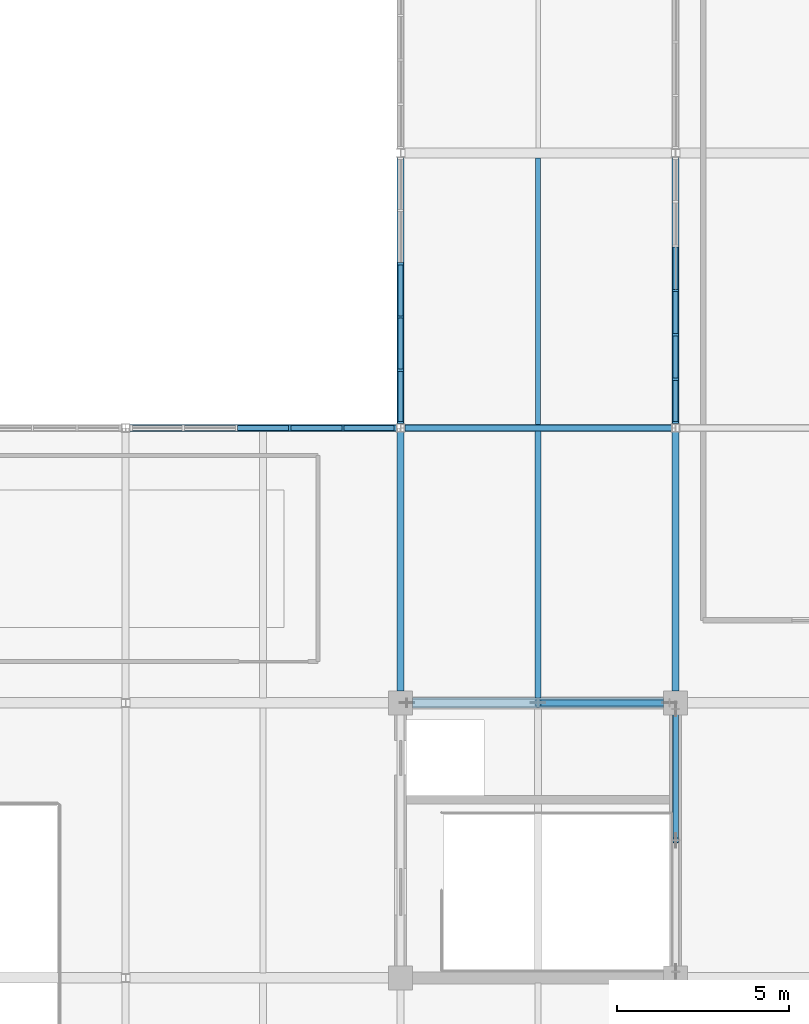
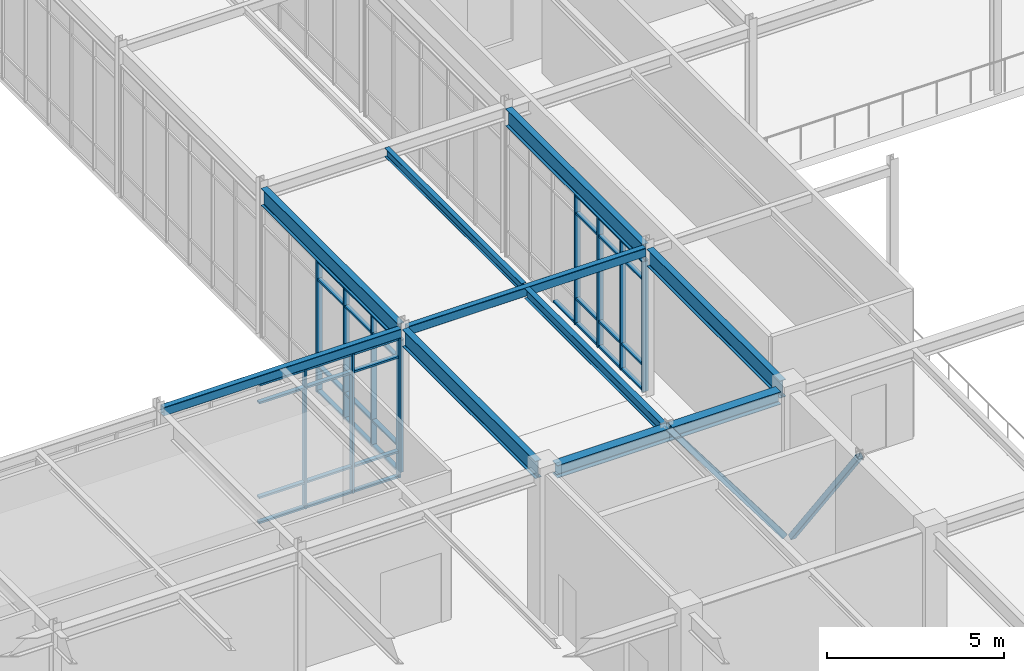
# One storey, part 55 of 184: 50 members, 9 beams, 3 elements without a shape of their own.
"""IFC4 building model written with IfcOpenShell, lengths in metres."""

from ifc_helpers import new_model, si_unit, direction, frame, origin, origin_2d, place, context, subcontext, project, spatial, rectangle, hollow_rectangle, i_section, extrude, material, material_profile, profile_set, type_object, element, aggregate, save


model = new_model("IFC4")

# Units and contexts
model_context = context("Model", 3, precision=1e-05, world=origin(), true_north=direction((0.0, 1.0)))
body_context = subcontext(model_context, "Body", "Model", "MODEL_VIEW")
ifc_project = project(units=[si_unit("LENGTHUNIT", "METRE"), si_unit("AREAUNIT", "SQUARE_METRE"), si_unit("VOLUMEUNIT", "CUBIC_METRE"), si_unit("PLANEANGLEUNIT", "RADIAN"), si_unit("MASSUNIT", "GRAM", prefix="KILO")], contexts=[model_context])

# Site, building, storey
site_placement = place(None, origin())
site = spatial("IfcSite", under=ifc_project, at=site_placement, CompositionType="ELEMENT")
building_placement = place(site_placement, origin())
building = spatial("IfcBuilding", under=site, at=building_placement, Name="Zhaolan Boulevard Law Courts", CompositionType="ELEMENT")
storey_placement = place(building_placement, frame((0.0, 0.0, 5.39990234375)))
storey = spatial("IfcBuildingStorey", under=building, at=storey_placement, Name="L01", CompositionType="ELEMENT", Elevation=5.39990234375)

# Members
ifc_material_1 = material(Name="Structural steel Q355B", Category="steel")
ifc_material_profile_1 = material_profile(ifc_material_1, hollow_rectangle(XDim=0.179931640625, YDim=0.179931640625, WallThickness=0.008056640625, InnerFilletRadius=0.008056640625, OuterFilletRadius=0.01611328125, at=origin_2d()), Name="HSS180x180x8")
ifc_profile_set_1 = profile_set([ifc_material_profile_1], Name="Structural steel Q355B")
member_type_1 = type_object("IfcMemberType", Name="BRACE HSS180", PredefinedType="BRACE", material=ifc_profile_set_1)
member_1_placement = place(storey_placement, frame((124.0, 21.820068359375, 0.030029296875), z_axis=(0.0, -0.600251625626, 0.799811218935), x_axis=(1.0, 0.0, 0.0)))
element("IfcMember", 1, at=member_1_placement, inside=storey, type_object=member_type_1, Name="Core Brace BR-P2-L01-E2", PredefinedType="BRACE", context=body_context, shape_type="SweptSolid", body=[
    extrude(hollow_rectangle(XDim=0.179931640625, YDim=0.179931640625, WallThickness=0.008056640625, InnerFilletRadius=0.008056640625, OuterFilletRadius=0.01611328125, at=origin_2d()), origin(), (0.0, 0.0, 1.0), 6.364013671875),
])
ifc_material_2 = material(Name="Structural steel Q355B", Category="steel")
ifc_material_profile_2 = material_profile(ifc_material_2, hollow_rectangle(XDim=0.199951171875, YDim=0.199951171875, WallThickness=0.010009765625, InnerFilletRadius=0.010009765625, OuterFilletRadius=0.02001953125, at=origin_2d()), Name="HSS200x200x10")
ifc_profile_set_2 = profile_set([ifc_material_profile_2], Name="Structural steel Q355B")
member_type_2 = type_object("IfcMemberType", Name="BRACE HSS200", PredefinedType="BRACE", material=ifc_profile_set_2)
member_2_placement = place(storey_placement, frame((123.820068359375, 22.0, 0.030029296875), z_axis=(-0.600251625626, 0.0, 0.799811218935), x_axis=(0.0, -1.0, 0.0)))
element("IfcMember", 2, at=member_2_placement, inside=storey, type_object=member_type_2, Name="Core Brace BR-P2-L01-N2", PredefinedType="BRACE", context=body_context, shape_type="SweptSolid", body=[
    extrude(hollow_rectangle(XDim=0.199951171875, YDim=0.199951171875, WallThickness=0.010009765625, InnerFilletRadius=0.010009765625, OuterFilletRadius=0.02001953125, at=origin_2d()), origin(), (0.0, 0.0, 1.0), 6.364013671875),
])

# Curtain wall, members
ifc_material_3 = material(Name="Thermally broken aluminium and low-E glazing", Category="aluminium")
curtain_wall_type_1 = type_object("IfcCurtainWallType", Name="CURTAIN WALL M7", PredefinedType="USERDEFINED", material=ifc_material_3)
curtain_wall_1_placement = place(storey_placement, origin())
curtain_wall_1 = element("IfcCurtainWall", 3, at=curtain_wall_1_placement, inside=storey, type_object=curtain_wall_type_1, Name="Curtain Wall CW-L01-055", ObjectType="CURTAIN WALL", PredefinedType="USERDEFINED")
ifc_material_4 = material(Name="Fluorocarbon-coated aluminium 6063-T6", Category="aluminium")
ifc_material_profile_3 = material_profile(ifc_material_4, rectangle(XDim=0.179931640625, YDim=0.06494140625, at=origin_2d()), Name="AL65x180")
ifc_profile_set_3 = profile_set([ifc_material_profile_3], Name="Fluorocarbon-coated aluminium 6063-T6")
member_type_3 = type_object("IfcMemberType", Name="CWMULLION 65X180", PredefinedType="MULLION", material=ifc_profile_set_3)
member_3_placement = place(storey_placement, frame((115.840576171875, 30.0, 0.0), z_axis=(0.0, 0.0, 1.0), x_axis=(0.0, -1.0, 0.0)))
member_3 = element("IfcMember", 4, at=member_3_placement, type_object=member_type_3, Name="CW-L01-055 mullion 1", PredefinedType="MULLION", context=body_context, shape_type="SweptSolid", body=[
    extrude(rectangle(XDim=0.179931640625, YDim=0.06494140625, at=origin_2d()), origin(), (0.0, 0.0, 1.0), 4.822998046875),
])
member_4_placement = place(storey_placement, frame((114.32373046875, 30.0, 0.0), z_axis=(0.0, 0.0, 1.0), x_axis=(0.0, -1.0, 0.0)))
member_4 = element("IfcMember", 5, at=member_4_placement, type_object=member_type_3, Name="CW-L01-055 mullion 2", PredefinedType="MULLION", context=body_context, shape_type="SweptSolid", body=[
    extrude(rectangle(XDim=0.179931640625, YDim=0.06494140625, at=origin_2d()), origin(), (0.0, 0.0, 1.0), 4.822998046875),
])
member_5_placement = place(storey_placement, frame((112.774658203125, 30.0, 0.0), z_axis=(0.0, 0.0, 1.0), x_axis=(0.0, -1.0, 0.0)))
member_5 = element("IfcMember", 6, at=member_5_placement, type_object=member_type_3, Name="CW-L01-055 mullion 3", PredefinedType="MULLION", context=body_context, shape_type="SweptSolid", body=[
    extrude(rectangle(XDim=0.179931640625, YDim=0.06494140625, at=origin_2d()), origin(), (0.0, 0.0, 1.0), 4.822998046875),
])

ifc_material_5 = material(Name="Thermally broken aluminium and low-E glazing", Category="aluminium")
curtain_wall_type_2 = type_object("IfcCurtainWallType", Name="CURTAIN WALL M2", PredefinedType="USERDEFINED", material=ifc_material_5)
curtain_wall_2_placement = place(storey_placement, origin())
curtain_wall_2 = element("IfcCurtainWall", 7, at=curtain_wall_2_placement, inside=storey, type_object=curtain_wall_type_2, Name="Curtain Wall CW-L01-074", ObjectType="CURTAIN WALL", PredefinedType="USERDEFINED")
member_6_placement = place(storey_placement, frame((116.0, 34.774658203125, 0.0), z_axis=(0.0, 0.0, 1.0), x_axis=(1.0, 0.0, 0.0)))
member_6 = element("IfcMember", 8, at=member_6_placement, type_object=member_type_3, Name="CW-L01-074 mullion 3", PredefinedType="MULLION", context=body_context, shape_type="SweptSolid", body=[
    extrude(rectangle(XDim=0.179931640625, YDim=0.06494140625, at=origin_2d()), origin(), (0.0, 0.0, 1.0), 4.552978515625),
])
member_7_placement = place(storey_placement, frame((116.0, 33.225341796875, 0.0), z_axis=(0.0, 0.0, 1.0), x_axis=(1.0, 0.0, 0.0)))
member_7 = element("IfcMember", 9, at=member_7_placement, type_object=member_type_3, Name="CW-L01-074 mullion 4", PredefinedType="MULLION", context=body_context, shape_type="SweptSolid", body=[
    extrude(rectangle(XDim=0.179931640625, YDim=0.06494140625, at=origin_2d()), origin(), (0.0, 0.0, 1.0), 4.552978515625),
])
member_8_placement = place(storey_placement, frame((116.0, 31.67626953125, 0.0), z_axis=(0.0, 0.0, 1.0), x_axis=(1.0, 0.0, 0.0)))
member_8 = element("IfcMember", 10, at=member_8_placement, type_object=member_type_3, Name="CW-L01-074 mullion 5", PredefinedType="MULLION", context=body_context, shape_type="SweptSolid", body=[
    extrude(rectangle(XDim=0.179931640625, YDim=0.06494140625, at=origin_2d()), origin(), (0.0, 0.0, 1.0), 4.552978515625),
])
member_9_placement = place(storey_placement, frame((116.0, 30.159423828125, 0.0), z_axis=(0.0, 0.0, 1.0), x_axis=(1.0, 0.0, 0.0)))
member_9 = element("IfcMember", 11, at=member_9_placement, type_object=member_type_3, Name="CW-L01-074 mullion 6", PredefinedType="MULLION", context=body_context, shape_type="SweptSolid", body=[
    extrude(rectangle(XDim=0.179931640625, YDim=0.06494140625, at=origin_2d()), origin(), (0.0, 0.0, 1.0), 4.552978515625),
])

ifc_material_6 = material(Name="Thermally broken aluminium and low-E glazing", Category="aluminium")
curtain_wall_type_3 = type_object("IfcCurtainWallType", Name="CURTAIN WALL M6", PredefinedType="USERDEFINED", material=ifc_material_6)
curtain_wall_3_placement = place(storey_placement, origin())
curtain_wall_3 = element("IfcCurtainWall", 12, at=curtain_wall_3_placement, inside=storey, type_object=curtain_wall_type_3, Name="Curtain Wall CW-L01-078", ObjectType="CURTAIN WALL", PredefinedType="USERDEFINED")
member_10_placement = place(storey_placement, frame((124.0, 30.159423828125, 0.0), z_axis=(0.0, 0.0, 1.0), x_axis=(-1.0, 0.0, 0.0)))
member_10 = element("IfcMember", 13, at=member_10_placement, type_object=member_type_3, Name="CW-L01-078 mullion 1", PredefinedType="MULLION", context=body_context, shape_type="SweptSolid", body=[
    extrude(rectangle(XDim=0.179931640625, YDim=0.06494140625, at=origin_2d()), origin(), (0.0, 0.0, 1.0), 4.503173828125),
])
member_11_placement = place(storey_placement, frame((124.0, 31.41796875, 0.0), z_axis=(0.0, 0.0, 1.0), x_axis=(-1.0, 0.0, 0.0)))
member_11 = element("IfcMember", 14, at=member_11_placement, type_object=member_type_3, Name="CW-L01-078 mullion 2", PredefinedType="MULLION", context=body_context, shape_type="SweptSolid", body=[
    extrude(rectangle(XDim=0.179931640625, YDim=0.06494140625, at=origin_2d()), origin(), (0.0, 0.0, 1.0), 4.503173828125),
])
member_12_placement = place(storey_placement, frame((124.0, 32.708984375, 0.0), z_axis=(0.0, 0.0, 1.0), x_axis=(-1.0, 0.0, 0.0)))
member_12 = element("IfcMember", 15, at=member_12_placement, type_object=member_type_3, Name="CW-L01-078 mullion 3", PredefinedType="MULLION", context=body_context, shape_type="SweptSolid", body=[
    extrude(rectangle(XDim=0.179931640625, YDim=0.06494140625, at=origin_2d()), origin(), (0.0, 0.0, 1.0), 4.503173828125),
])
member_13_placement = place(storey_placement, frame((124.0, 34.0, 0.0), z_axis=(0.0, 0.0, 1.0), x_axis=(-1.0, 0.0, 0.0)))
member_13 = element("IfcMember", 16, at=member_13_placement, type_object=member_type_3, Name="CW-L01-078 mullion 4", PredefinedType="MULLION", context=body_context, shape_type="SweptSolid", body=[
    extrude(rectangle(XDim=0.179931640625, YDim=0.06494140625, at=origin_2d()), origin(), (0.0, 0.0, 1.0), 4.503173828125),
])

# Member
ifc_material_7 = material(Name="Fluorocarbon-coated aluminium 6063-T6", Category="aluminium")
ifc_material_profile_4 = material_profile(ifc_material_7, rectangle(XDim=0.139892578125, YDim=0.06494140625, at=origin_2d()), Name="AL65x140")
ifc_profile_set_4 = profile_set([ifc_material_profile_4], Name="Fluorocarbon-coated aluminium 6063-T6")
member_type_4 = type_object("IfcMemberType", Name="CWTRANSOM 65X140", PredefinedType="USERDEFINED", material=ifc_profile_set_4)
member_14_placement = place(storey_placement, frame((115.80810546875, 30.0, 0.03271484375), z_axis=(-1.0, 0.0, 0.0), x_axis=(0.0, -1.0, 0.0)))
member_14 = element("IfcMember", 17, at=member_14_placement, type_object=member_type_4, Name="CW-L01-055 transom 1.1", ObjectType="TRANSOM", PredefinedType="USERDEFINED", context=body_context, shape_type="SweptSolid", body=[
    extrude(rectangle(XDim=0.139892578125, YDim=0.06494140625, at=origin_2d()), origin(), (0.0, 0.0, 1.0), 1.451904296875),
])

member_15_placement = place(storey_placement, frame((115.80810546875, 30.0, 0.900146484375), z_axis=(-1.0, 0.0, 0.0), x_axis=(0.0, -1.0, 0.0)))
member_15 = element("IfcMember", 18, at=member_15_placement, type_object=member_type_4, Name="CW-L01-055 transom 1.2", ObjectType="TRANSOM", PredefinedType="USERDEFINED", context=body_context, shape_type="SweptSolid", body=[
    extrude(rectangle(XDim=0.139892578125, YDim=0.06494140625, at=origin_2d()), origin(), (0.0, 0.0, 1.0), 1.451904296875),
])

member_16_placement = place(storey_placement, frame((115.80810546875, 30.0, 4.173095703125), z_axis=(-1.0, 0.0, 0.0), x_axis=(0.0, -1.0, 0.0)))
member_16 = element("IfcMember", 19, at=member_16_placement, type_object=member_type_4, Name="CW-L01-055 transom 1.3", ObjectType="TRANSOM", PredefinedType="USERDEFINED", context=body_context, shape_type="SweptSolid", body=[
    extrude(rectangle(XDim=0.139892578125, YDim=0.06494140625, at=origin_2d()), origin(), (0.0, 0.0, 1.0), 1.451904296875),
])

member_17_placement = place(storey_placement, frame((115.80810546875, 30.0, 4.79052734375), z_axis=(-1.0, 0.0, 0.0), x_axis=(0.0, -1.0, 0.0)))
member_17 = element("IfcMember", 20, at=member_17_placement, type_object=member_type_4, Name="CW-L01-055 transom 1.4", ObjectType="TRANSOM", PredefinedType="USERDEFINED", context=body_context, shape_type="SweptSolid", body=[
    extrude(rectangle(XDim=0.139892578125, YDim=0.06494140625, at=origin_2d()), origin(), (0.0, 0.0, 1.0), 1.451904296875),
])

member_18_placement = place(storey_placement, frame((114.291259765625, 30.0, 0.03271484375), z_axis=(-1.0, 0.0, 0.0), x_axis=(0.0, -1.0, 0.0)))
member_18 = element("IfcMember", 21, at=member_18_placement, type_object=member_type_4, Name="CW-L01-055 transom 2.1", ObjectType="TRANSOM", PredefinedType="USERDEFINED", context=body_context, shape_type="SweptSolid", body=[
    extrude(rectangle(XDim=0.139892578125, YDim=0.06494140625, at=origin_2d()), origin(), (0.0, 0.0, 1.0), 1.484130859375),
])

member_19_placement = place(storey_placement, frame((114.291259765625, 30.0, 0.900146484375), z_axis=(-1.0, 0.0, 0.0), x_axis=(0.0, -1.0, 0.0)))
member_19 = element("IfcMember", 22, at=member_19_placement, type_object=member_type_4, Name="CW-L01-055 transom 2.2", ObjectType="TRANSOM", PredefinedType="USERDEFINED", context=body_context, shape_type="SweptSolid", body=[
    extrude(rectangle(XDim=0.139892578125, YDim=0.06494140625, at=origin_2d()), origin(), (0.0, 0.0, 1.0), 1.484130859375),
])

member_20_placement = place(storey_placement, frame((114.291259765625, 30.0, 4.173095703125), z_axis=(-1.0, 0.0, 0.0), x_axis=(0.0, -1.0, 0.0)))
member_20 = element("IfcMember", 23, at=member_20_placement, type_object=member_type_4, Name="CW-L01-055 transom 2.3", ObjectType="TRANSOM", PredefinedType="USERDEFINED", context=body_context, shape_type="SweptSolid", body=[
    extrude(rectangle(XDim=0.139892578125, YDim=0.06494140625, at=origin_2d()), origin(), (0.0, 0.0, 1.0), 1.484130859375),
])

member_21_placement = place(storey_placement, frame((114.291259765625, 30.0, 4.79052734375), z_axis=(-1.0, 0.0, 0.0), x_axis=(0.0, -1.0, 0.0)))
member_21 = element("IfcMember", 24, at=member_21_placement, type_object=member_type_4, Name="CW-L01-055 transom 2.4", ObjectType="TRANSOM", PredefinedType="USERDEFINED", context=body_context, shape_type="SweptSolid", body=[
    extrude(rectangle(XDim=0.139892578125, YDim=0.06494140625, at=origin_2d()), origin(), (0.0, 0.0, 1.0), 1.484130859375),
])

member_22_placement = place(storey_placement, frame((112.7421875, 30.0, 0.03271484375), z_axis=(-1.0, 0.0, 0.0), x_axis=(0.0, -1.0, 0.0)))
member_22 = element("IfcMember", 25, at=member_22_placement, type_object=member_type_4, Name="CW-L01-055 transom 3.1", ObjectType="TRANSOM", PredefinedType="USERDEFINED", context=body_context, shape_type="SweptSolid", body=[
    extrude(rectangle(XDim=0.139892578125, YDim=0.06494140625, at=origin_2d()), origin(), (0.0, 0.0, 1.0), 1.484375),
])

member_23_placement = place(storey_placement, frame((112.7421875, 30.0, 0.900146484375), z_axis=(-1.0, 0.0, 0.0), x_axis=(0.0, -1.0, 0.0)))
member_23 = element("IfcMember", 26, at=member_23_placement, type_object=member_type_4, Name="CW-L01-055 transom 3.2", ObjectType="TRANSOM", PredefinedType="USERDEFINED", context=body_context, shape_type="SweptSolid", body=[
    extrude(rectangle(XDim=0.139892578125, YDim=0.06494140625, at=origin_2d()), origin(), (0.0, 0.0, 1.0), 1.484375),
])

member_24_placement = place(storey_placement, frame((112.7421875, 30.0, 4.173095703125), z_axis=(-1.0, 0.0, 0.0), x_axis=(0.0, -1.0, 0.0)))
member_24 = element("IfcMember", 27, at=member_24_placement, type_object=member_type_4, Name="CW-L01-055 transom 3.3", ObjectType="TRANSOM", PredefinedType="USERDEFINED", context=body_context, shape_type="SweptSolid", body=[
    extrude(rectangle(XDim=0.139892578125, YDim=0.06494140625, at=origin_2d()), origin(), (0.0, 0.0, 1.0), 1.484375),
])

member_25_placement = place(storey_placement, frame((112.7421875, 30.0, 4.79052734375), z_axis=(-1.0, 0.0, 0.0), x_axis=(0.0, -1.0, 0.0)))
member_25 = element("IfcMember", 28, at=member_25_placement, type_object=member_type_4, Name="CW-L01-055 transom 3.4", ObjectType="TRANSOM", PredefinedType="USERDEFINED", context=body_context, shape_type="SweptSolid", body=[
    extrude(rectangle(XDim=0.139892578125, YDim=0.06494140625, at=origin_2d()), origin(), (0.0, 0.0, 1.0), 1.484375),
])

aggregate(curtain_wall_1, [member_3, member_4, member_5, member_14, member_15, member_16, member_17, member_18, member_19, member_20, member_21, member_22, member_23, member_24, member_25])

member_26_placement = place(storey_placement, frame((116.0, 34.7421875, 0.03271484375), z_axis=(0.0, -1.0, 0.0), x_axis=(1.0, 0.0, 0.0)))
member_26 = element("IfcMember", 29, at=member_26_placement, type_object=member_type_4, Name="CW-L01-074 transom 3.1", ObjectType="TRANSOM", PredefinedType="USERDEFINED", context=body_context, shape_type="SweptSolid", body=[
    extrude(rectangle(XDim=0.139892578125, YDim=0.06494140625, at=origin_2d()), origin(), (0.0, 0.0, 1.0), 1.484375),
])

member_27_placement = place(storey_placement, frame((116.0, 34.7421875, 0.900146484375), z_axis=(0.0, -1.0, 0.0), x_axis=(1.0, 0.0, 0.0)))
member_27 = element("IfcMember", 30, at=member_27_placement, type_object=member_type_4, Name="CW-L01-074 transom 3.2", ObjectType="TRANSOM", PredefinedType="USERDEFINED", context=body_context, shape_type="SweptSolid", body=[
    extrude(rectangle(XDim=0.139892578125, YDim=0.06494140625, at=origin_2d()), origin(), (0.0, 0.0, 1.0), 1.484375),
])

member_28_placement = place(storey_placement, frame((116.0, 34.7421875, 3.903076171875), z_axis=(0.0, -1.0, 0.0), x_axis=(1.0, 0.0, 0.0)))
member_28 = element("IfcMember", 31, at=member_28_placement, type_object=member_type_4, Name="CW-L01-074 transom 3.3", ObjectType="TRANSOM", PredefinedType="USERDEFINED", context=body_context, shape_type="SweptSolid", body=[
    extrude(rectangle(XDim=0.139892578125, YDim=0.06494140625, at=origin_2d()), origin(), (0.0, 0.0, 1.0), 1.484375),
])

member_29_placement = place(storey_placement, frame((116.0, 34.7421875, 4.5205078125), z_axis=(0.0, -1.0, 0.0), x_axis=(1.0, 0.0, 0.0)))
member_29 = element("IfcMember", 32, at=member_29_placement, type_object=member_type_4, Name="CW-L01-074 transom 3.4", ObjectType="TRANSOM", PredefinedType="USERDEFINED", context=body_context, shape_type="SweptSolid", body=[
    extrude(rectangle(XDim=0.139892578125, YDim=0.06494140625, at=origin_2d()), origin(), (0.0, 0.0, 1.0), 1.484375),
])

member_30_placement = place(storey_placement, frame((116.0, 33.19287109375, 0.03271484375), z_axis=(0.0, -1.0, 0.0), x_axis=(1.0, 0.0, 0.0)))
member_30 = element("IfcMember", 33, at=member_30_placement, type_object=member_type_4, Name="CW-L01-074 transom 4.1", ObjectType="TRANSOM", PredefinedType="USERDEFINED", context=body_context, shape_type="SweptSolid", body=[
    extrude(rectangle(XDim=0.139892578125, YDim=0.06494140625, at=origin_2d()), origin(), (0.0, 0.0, 1.0), 1.484130859375),
])

member_31_placement = place(storey_placement, frame((116.0, 33.19287109375, 0.900146484375), z_axis=(0.0, -1.0, 0.0), x_axis=(1.0, 0.0, 0.0)))
member_31 = element("IfcMember", 34, at=member_31_placement, type_object=member_type_4, Name="CW-L01-074 transom 4.2", ObjectType="TRANSOM", PredefinedType="USERDEFINED", context=body_context, shape_type="SweptSolid", body=[
    extrude(rectangle(XDim=0.139892578125, YDim=0.06494140625, at=origin_2d()), origin(), (0.0, 0.0, 1.0), 1.484130859375),
])

member_32_placement = place(storey_placement, frame((116.0, 33.19287109375, 3.903076171875), z_axis=(0.0, -1.0, 0.0), x_axis=(1.0, 0.0, 0.0)))
member_32 = element("IfcMember", 35, at=member_32_placement, type_object=member_type_4, Name="CW-L01-074 transom 4.3", ObjectType="TRANSOM", PredefinedType="USERDEFINED", context=body_context, shape_type="SweptSolid", body=[
    extrude(rectangle(XDim=0.139892578125, YDim=0.06494140625, at=origin_2d()), origin(), (0.0, 0.0, 1.0), 1.484130859375),
])

member_33_placement = place(storey_placement, frame((116.0, 33.19287109375, 4.5205078125), z_axis=(0.0, -1.0, 0.0), x_axis=(1.0, 0.0, 0.0)))
member_33 = element("IfcMember", 36, at=member_33_placement, type_object=member_type_4, Name="CW-L01-074 transom 4.4", ObjectType="TRANSOM", PredefinedType="USERDEFINED", context=body_context, shape_type="SweptSolid", body=[
    extrude(rectangle(XDim=0.139892578125, YDim=0.06494140625, at=origin_2d()), origin(), (0.0, 0.0, 1.0), 1.484130859375),
])

member_34_placement = place(storey_placement, frame((116.0, 31.643798828125, 0.03271484375), z_axis=(0.0, -1.0, 0.0), x_axis=(1.0, 0.0, 0.0)))
member_34 = element("IfcMember", 37, at=member_34_placement, type_object=member_type_4, Name="CW-L01-074 transom 5.1", ObjectType="TRANSOM", PredefinedType="USERDEFINED", context=body_context, shape_type="SweptSolid", body=[
    extrude(rectangle(XDim=0.139892578125, YDim=0.06494140625, at=origin_2d()), origin(), (0.0, 0.0, 1.0), 1.451904296875),
])

member_35_placement = place(storey_placement, frame((116.0, 31.643798828125, 0.900146484375), z_axis=(0.0, -1.0, 0.0), x_axis=(1.0, 0.0, 0.0)))
member_35 = element("IfcMember", 38, at=member_35_placement, type_object=member_type_4, Name="CW-L01-074 transom 5.2", ObjectType="TRANSOM", PredefinedType="USERDEFINED", context=body_context, shape_type="SweptSolid", body=[
    extrude(rectangle(XDim=0.139892578125, YDim=0.06494140625, at=origin_2d()), origin(), (0.0, 0.0, 1.0), 1.451904296875),
])

member_36_placement = place(storey_placement, frame((116.0, 31.643798828125, 3.903076171875), z_axis=(0.0, -1.0, 0.0), x_axis=(1.0, 0.0, 0.0)))
member_36 = element("IfcMember", 39, at=member_36_placement, type_object=member_type_4, Name="CW-L01-074 transom 5.3", ObjectType="TRANSOM", PredefinedType="USERDEFINED", context=body_context, shape_type="SweptSolid", body=[
    extrude(rectangle(XDim=0.139892578125, YDim=0.06494140625, at=origin_2d()), origin(), (0.0, 0.0, 1.0), 1.451904296875),
])

member_37_placement = place(storey_placement, frame((116.0, 31.643798828125, 4.5205078125), z_axis=(0.0, -1.0, 0.0), x_axis=(1.0, 0.0, 0.0)))
member_37 = element("IfcMember", 40, at=member_37_placement, type_object=member_type_4, Name="CW-L01-074 transom 5.4", ObjectType="TRANSOM", PredefinedType="USERDEFINED", context=body_context, shape_type="SweptSolid", body=[
    extrude(rectangle(XDim=0.139892578125, YDim=0.06494140625, at=origin_2d()), origin(), (0.0, 0.0, 1.0), 1.451904296875),
])

aggregate(curtain_wall_2, [member_6, member_7, member_8, member_9, member_26, member_27, member_28, member_29, member_30, member_31, member_32, member_33, member_34, member_35, member_36, member_37])

member_38_placement = place(storey_placement, frame((124.0, 30.19189453125, 0.03271484375), z_axis=(0.0, 1.0, 0.0), x_axis=(-1.0, 0.0, 0.0)))
member_38 = element("IfcMember", 41, at=member_38_placement, type_object=member_type_4, Name="CW-L01-078 transom 1.1", ObjectType="TRANSOM", PredefinedType="USERDEFINED", context=body_context, shape_type="SweptSolid", body=[
    extrude(rectangle(XDim=0.139892578125, YDim=0.06494140625, at=origin_2d()), origin(), (0.0, 0.0, 1.0), 1.193603515625),
])

member_39_placement = place(storey_placement, frame((124.0, 30.19189453125, 0.900146484375), z_axis=(0.0, 1.0, 0.0), x_axis=(-1.0, 0.0, 0.0)))
member_39 = element("IfcMember", 42, at=member_39_placement, type_object=member_type_4, Name="CW-L01-078 transom 1.2", ObjectType="TRANSOM", PredefinedType="USERDEFINED", context=body_context, shape_type="SweptSolid", body=[
    extrude(rectangle(XDim=0.139892578125, YDim=0.06494140625, at=origin_2d()), origin(), (0.0, 0.0, 1.0), 1.193603515625),
])

member_40_placement = place(storey_placement, frame((124.0, 30.19189453125, 3.85302734375), z_axis=(0.0, 1.0, 0.0), x_axis=(-1.0, 0.0, 0.0)))
member_40 = element("IfcMember", 43, at=member_40_placement, type_object=member_type_4, Name="CW-L01-078 transom 1.3", ObjectType="TRANSOM", PredefinedType="USERDEFINED", context=body_context, shape_type="SweptSolid", body=[
    extrude(rectangle(XDim=0.139892578125, YDim=0.06494140625, at=origin_2d()), origin(), (0.0, 0.0, 1.0), 1.193603515625),
])

member_41_placement = place(storey_placement, frame((124.0, 30.19189453125, 4.470703125), z_axis=(0.0, 1.0, 0.0), x_axis=(-1.0, 0.0, 0.0)))
member_41 = element("IfcMember", 44, at=member_41_placement, type_object=member_type_4, Name="CW-L01-078 transom 1.4", ObjectType="TRANSOM", PredefinedType="USERDEFINED", context=body_context, shape_type="SweptSolid", body=[
    extrude(rectangle(XDim=0.139892578125, YDim=0.06494140625, at=origin_2d()), origin(), (0.0, 0.0, 1.0), 1.193603515625),
])

member_42_placement = place(storey_placement, frame((124.0, 31.450439453125, 0.03271484375), z_axis=(0.0, 1.0, 0.0), x_axis=(-1.0, 0.0, 0.0)))
member_42 = element("IfcMember", 45, at=member_42_placement, type_object=member_type_4, Name="CW-L01-078 transom 2.1", ObjectType="TRANSOM", PredefinedType="USERDEFINED", context=body_context, shape_type="SweptSolid", body=[
    extrude(rectangle(XDim=0.139892578125, YDim=0.06494140625, at=origin_2d()), origin(), (0.0, 0.0, 1.0), 1.22607421875),
])

member_43_placement = place(storey_placement, frame((124.0, 31.450439453125, 0.900146484375), z_axis=(0.0, 1.0, 0.0), x_axis=(-1.0, 0.0, 0.0)))
member_43 = element("IfcMember", 46, at=member_43_placement, type_object=member_type_4, Name="CW-L01-078 transom 2.2", ObjectType="TRANSOM", PredefinedType="USERDEFINED", context=body_context, shape_type="SweptSolid", body=[
    extrude(rectangle(XDim=0.139892578125, YDim=0.06494140625, at=origin_2d()), origin(), (0.0, 0.0, 1.0), 1.22607421875),
])

member_44_placement = place(storey_placement, frame((124.0, 31.450439453125, 3.85302734375), z_axis=(0.0, 1.0, 0.0), x_axis=(-1.0, 0.0, 0.0)))
member_44 = element("IfcMember", 47, at=member_44_placement, type_object=member_type_4, Name="CW-L01-078 transom 2.3", ObjectType="TRANSOM", PredefinedType="USERDEFINED", context=body_context, shape_type="SweptSolid", body=[
    extrude(rectangle(XDim=0.139892578125, YDim=0.06494140625, at=origin_2d()), origin(), (0.0, 0.0, 1.0), 1.22607421875),
])

member_45_placement = place(storey_placement, frame((124.0, 31.450439453125, 4.470703125), z_axis=(0.0, 1.0, 0.0), x_axis=(-1.0, 0.0, 0.0)))
member_45 = element("IfcMember", 48, at=member_45_placement, type_object=member_type_4, Name="CW-L01-078 transom 2.4", ObjectType="TRANSOM", PredefinedType="USERDEFINED", context=body_context, shape_type="SweptSolid", body=[
    extrude(rectangle(XDim=0.139892578125, YDim=0.06494140625, at=origin_2d()), origin(), (0.0, 0.0, 1.0), 1.22607421875),
])

member_46_placement = place(storey_placement, frame((124.0, 32.741455078125, 0.03271484375), z_axis=(0.0, 1.0, 0.0), x_axis=(-1.0, 0.0, 0.0)))
member_46 = element("IfcMember", 49, at=member_46_placement, type_object=member_type_4, Name="CW-L01-078 transom 3.1", ObjectType="TRANSOM", PredefinedType="USERDEFINED", context=body_context, shape_type="SweptSolid", body=[
    extrude(rectangle(XDim=0.139892578125, YDim=0.06494140625, at=origin_2d()), origin(), (0.0, 0.0, 1.0), 1.22607421875),
])

member_47_placement = place(storey_placement, frame((124.0, 32.741455078125, 0.900146484375), z_axis=(0.0, 1.0, 0.0), x_axis=(-1.0, 0.0, 0.0)))
member_47 = element("IfcMember", 50, at=member_47_placement, type_object=member_type_4, Name="CW-L01-078 transom 3.2", ObjectType="TRANSOM", PredefinedType="USERDEFINED", context=body_context, shape_type="SweptSolid", body=[
    extrude(rectangle(XDim=0.139892578125, YDim=0.06494140625, at=origin_2d()), origin(), (0.0, 0.0, 1.0), 1.22607421875),
])

member_48_placement = place(storey_placement, frame((124.0, 32.741455078125, 3.85302734375), z_axis=(0.0, 1.0, 0.0), x_axis=(-1.0, 0.0, 0.0)))
member_48 = element("IfcMember", 51, at=member_48_placement, type_object=member_type_4, Name="CW-L01-078 transom 3.3", ObjectType="TRANSOM", PredefinedType="USERDEFINED", context=body_context, shape_type="SweptSolid", body=[
    extrude(rectangle(XDim=0.139892578125, YDim=0.06494140625, at=origin_2d()), origin(), (0.0, 0.0, 1.0), 1.22607421875),
])

member_49_placement = place(storey_placement, frame((124.0, 32.741455078125, 4.470703125), z_axis=(0.0, 1.0, 0.0), x_axis=(-1.0, 0.0, 0.0)))
member_49 = element("IfcMember", 52, at=member_49_placement, type_object=member_type_4, Name="CW-L01-078 transom 3.4", ObjectType="TRANSOM", PredefinedType="USERDEFINED", context=body_context, shape_type="SweptSolid", body=[
    extrude(rectangle(XDim=0.139892578125, YDim=0.06494140625, at=origin_2d()), origin(), (0.0, 0.0, 1.0), 1.22607421875),
])

member_50_placement = place(storey_placement, frame((124.0, 34.032470703125, 0.03271484375), z_axis=(0.0, 1.0, 0.0), x_axis=(-1.0, 0.0, 0.0)))
member_50 = element("IfcMember", 53, at=member_50_placement, type_object=member_type_4, Name="CW-L01-078 transom 4.1", ObjectType="TRANSOM", PredefinedType="USERDEFINED", context=body_context, shape_type="SweptSolid", body=[
    extrude(rectangle(XDim=0.139892578125, YDim=0.06494140625, at=origin_2d()), origin(), (0.0, 0.0, 1.0), 1.22607421875),
])

aggregate(curtain_wall_3, [member_10, member_11, member_12, member_13, member_38, member_39, member_40, member_41, member_42, member_43, member_44, member_45, member_46, member_47, member_48, member_49, member_50])

# Beams
ifc_material_8 = material(Name="Structural steel Q355B", Category="steel")
ifc_material_profile_5 = material_profile(ifc_material_8, i_section(OverallWidth=0.300048828125, OverallDepth=0.43994140625, WebThickness=0.010986328125, FlangeThickness=0.01806640625, FilletRadius=0.02001953125, at=origin_2d()), Name="HM440x300")
ifc_profile_set_5 = profile_set([ifc_material_profile_5], Name="Structural steel Q355B")
beam_type_1 = type_object("IfcBeamType", Name="GIRDER HM440", PredefinedType="BEAM", material=ifc_profile_set_5)
beam_1_placement = place(storey_placement, frame((116.345947265625, 22.0, 4.918212890625), z_axis=(1.0, 0.0, 0.0), x_axis=(0.0, 1.0, 0.0)))
element("IfcBeam", 54, at=beam_1_placement, inside=storey, type_object=beam_type_1, Name="Beam BX-L02-15-16-D", PredefinedType="BEAM", context=body_context, shape_type="SweptSolid", body=[
    extrude(i_section(OverallWidth=0.300048828125, OverallDepth=0.43994140625, WebThickness=0.010986328125, FlangeThickness=0.01806640625, FilletRadius=0.02001953125, at=origin_2d()), origin(), (0.0, 0.0, 1.0), 7.30810546875),
])
ifc_material_9 = material(Name="Structural steel Q355B", Category="steel")
ifc_material_profile_6 = material_profile(ifc_material_9, i_section(OverallWidth=0.199951171875, OverallDepth=0.60009765625, WebThickness=0.010986328125, FlangeThickness=0.01708984375, FilletRadius=0.02001953125, at=origin_2d()), Name="HN600x200")
ifc_profile_set_6 = profile_set([ifc_material_profile_6], Name="Structural steel Q355B")
beam_type_2 = type_object("IfcBeamType", Name="GIRDER HN600", PredefinedType="BEAM", material=ifc_profile_set_6)
beam_2_placement = place(storey_placement, frame((116.0, 22.345947265625, 4.838134765625), z_axis=(0.0, 1.0, 0.0), x_axis=(-1.0, 0.0, 0.0)))
element("IfcBeam", 55, at=beam_2_placement, inside=storey, type_object=beam_type_2, Name="Beam BY-L02-15-D-E", PredefinedType="BEAM", context=body_context, shape_type="SweptSolid", body=[
    extrude(i_section(OverallWidth=0.199951171875, OverallDepth=0.60009765625, WebThickness=0.010986328125, FlangeThickness=0.01708984375, FilletRadius=0.02001953125, at=origin_2d()), origin(), (0.0, 0.0, 1.0), 7.532958984375),
])
beam_3_placement = place(storey_placement, frame((116.0, 30.12109375, 4.8681640625), z_axis=(0.0, 1.0, 0.0), x_axis=(-1.0, 0.0, 0.0)))
element("IfcBeam", 56, at=beam_3_placement, inside=storey, type_object=beam_type_2, Name="Beam BY-L02-15-E-F", PredefinedType="BEAM", context=body_context, shape_type="SweptSolid", body=[
    extrude(i_section(OverallWidth=0.199951171875, OverallDepth=0.60009765625, WebThickness=0.010986328125, FlangeThickness=0.01708984375, FilletRadius=0.02001953125, at=origin_2d()), origin(), (0.0, 0.0, 1.0), 7.7578125),
])
beam_4_placement = place(storey_placement, frame((124.0, 22.345947265625, 4.818115234375), z_axis=(0.0, 1.0, 0.0), x_axis=(-1.0, 0.0, 0.0)))
element("IfcBeam", 57, at=beam_4_placement, inside=storey, type_object=beam_type_2, Name="Beam BY-L02-16-D-E", PredefinedType="BEAM", context=body_context, shape_type="SweptSolid", body=[
    extrude(i_section(OverallWidth=0.199951171875, OverallDepth=0.60009765625, WebThickness=0.010986328125, FlangeThickness=0.01708984375, FilletRadius=0.02001953125, at=origin_2d()), origin(), (0.0, 0.0, 1.0), 7.532958984375),
])
beam_5_placement = place(storey_placement, frame((124.0, 30.12109375, 4.818115234375), z_axis=(0.0, 1.0, 0.0), x_axis=(-1.0, 0.0, 0.0)))
element("IfcBeam", 58, at=beam_5_placement, inside=storey, type_object=beam_type_2, Name="Beam BY-L02-16-E-F", PredefinedType="BEAM", context=body_context, shape_type="SweptSolid", body=[
    extrude(i_section(OverallWidth=0.199951171875, OverallDepth=0.60009765625, WebThickness=0.010986328125, FlangeThickness=0.01708984375, FilletRadius=0.02001953125, at=origin_2d()), origin(), (0.0, 0.0, 1.0), 7.7578125),
])
ifc_material_10 = material(Name="Structural steel Q355B", Category="steel")
ifc_material_profile_7 = material_profile(ifc_material_10, i_section(OverallWidth=0.14990234375, OverallDepth=0.300048828125, WebThickness=0.006591796875, FlangeThickness=0.009033203125, FilletRadius=0.010986328125, at=origin_2d()), Name="HN300x150")
ifc_profile_set_7 = profile_set([ifc_material_profile_7], Name="Structural steel Q355B")
beam_type_3 = type_object("IfcBeamType", Name="JOIST HN300", PredefinedType="JOIST", material=ifc_profile_set_7)
beam_6_placement = place(storey_placement, frame((120.0, 30.095947265625, 5.01806640625), z_axis=(0.0, 1.0, 0.0), x_axis=(-1.0, 0.0, 0.0)))
element("IfcBeam", 59, at=beam_6_placement, inside=storey, type_object=beam_type_3, Name="Composite Joist J-L02-15E", PredefinedType="JOIST", context=body_context, shape_type="SweptSolid", body=[
    extrude(i_section(OverallWidth=0.14990234375, OverallDepth=0.300048828125, WebThickness=0.006591796875, FlangeThickness=0.009033203125, FilletRadius=0.010986328125, at=origin_2d()), origin(), (0.0, 0.0, 1.0), 7.758056640625),
])
ifc_material_11 = material(Name="Structural steel Q355B", Category="steel")
ifc_material_profile_8 = material_profile(ifc_material_11, i_section(OverallWidth=0.175048828125, OverallDepth=0.35009765625, WebThickness=0.007080078125, FlangeThickness=0.010986328125, FilletRadius=0.012939453125, at=origin_2d()), Name="HN350x175")
ifc_profile_set_8 = profile_set([ifc_material_profile_8], Name="Structural steel Q355B")
beam_type_4 = type_object("IfcBeamType", Name="JOIST HN350", PredefinedType="JOIST", material=ifc_profile_set_8)
beam_7_placement = place(storey_placement, frame((120.0, 22.14599609375, 4.963134765625), z_axis=(0.0, 1.0, 0.0), x_axis=(-1.0, 0.0, 0.0)))
element("IfcBeam", 60, at=beam_7_placement, inside=storey, type_object=beam_type_4, Name="Composite Joist J-L02-15D", PredefinedType="JOIST", context=body_context, shape_type="SweptSolid", body=[
    extrude(i_section(OverallWidth=0.175048828125, OverallDepth=0.35009765625, WebThickness=0.007080078125, FlangeThickness=0.010986328125, FilletRadius=0.012939453125, at=origin_2d()), origin(), (0.0, 0.0, 1.0), 7.758056640625),
])
ifc_material_12 = material(Name="Structural steel Q355B", Category="steel")
ifc_material_profile_9 = material_profile(ifc_material_12, hollow_rectangle(XDim=0.199951171875, YDim=0.300048828125, WallThickness=0.011962890625, InnerFilletRadius=0.011962890625, OuterFilletRadius=0.02392578125, at=origin_2d()), Name="HSS300x200x12")
ifc_profile_set_9 = profile_set([ifc_material_profile_9], Name="Structural steel Q355B")
beam_type_5 = type_object("IfcBeamType", Name="SPANDREL HSS300", PredefinedType="SPANDREL", material=ifc_profile_set_9)
for number, where, z_axis, x_axis, name in (
    (61, (108.12109375, 30.0, 4.988037109375), (1.0, 0.0, 0.0), (0.0, 1.0, 0.0), "Beam BX-L02-14-15-E"),
    (62, (116.12109375, 30.0, 4.988037109375), (1.0, 0.0, 0.0), (0.0, 1.0, 0.0), "Beam BX-L02-15-16-E"),
):
    element("IfcBeam", number, at=place(storey_placement, frame(where, z_axis=z_axis, x_axis=x_axis)), inside=storey, type_object=beam_type_5, Name=name, PredefinedType="SPANDREL", context=body_context, shape_type="SweptSolid", body=[
        extrude(hollow_rectangle(XDim=0.199951171875, YDim=0.300048828125, WallThickness=0.011962890625, InnerFilletRadius=0.011962890625, OuterFilletRadius=0.02392578125, at=origin_2d()), origin(), (0.0, 0.0, 1.0), 7.7578125),
    ])

save(model, "model.ifc")
